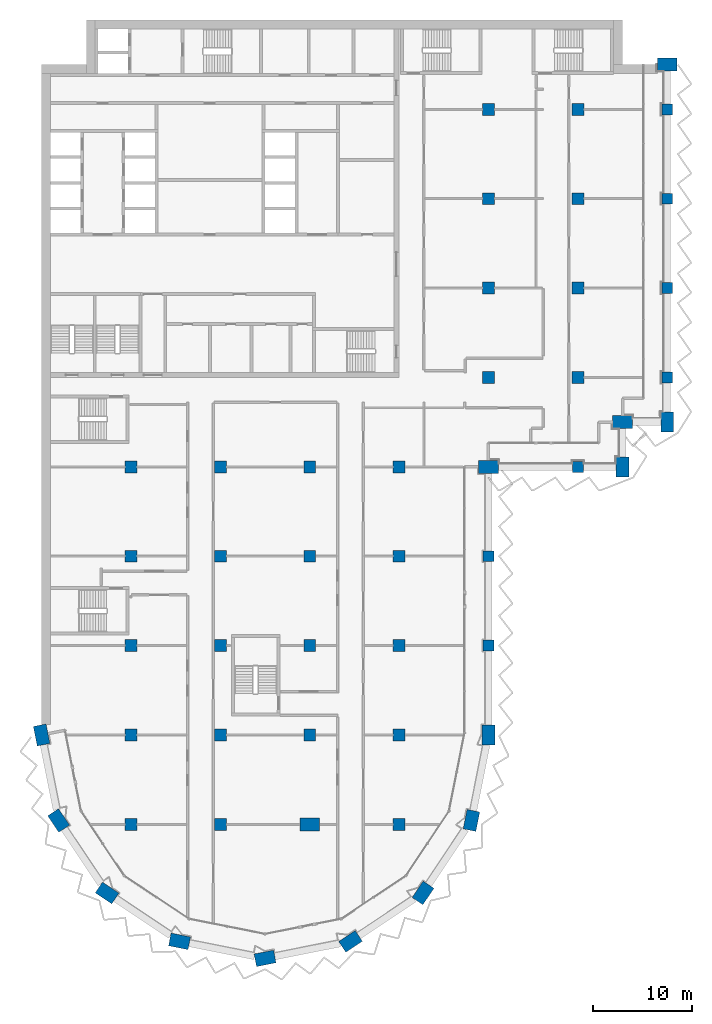
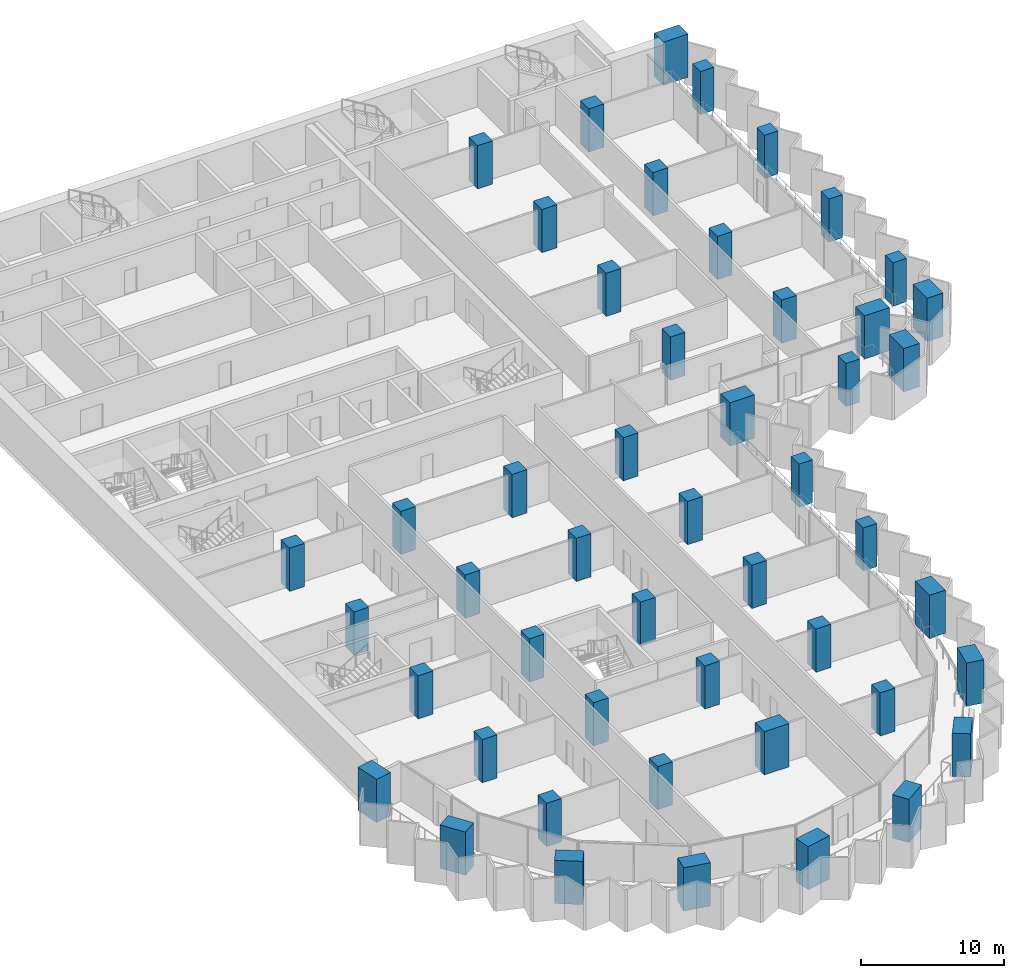
# One storey, part 1 of 22: 49 columns.
"""IFC4 building model written with IfcOpenShell, lengths in metres."""

from ifc_helpers import new_model, si_unit, direction, frame, origin, origin_2d, place, context, subcontext, project, spatial, rectangle, extrude, material, material_profile, profile_set, type_object, element, save


model = new_model("IFC4")

# Units and contexts
model_context = context("Model", 3, precision=1e-05, world=origin(), true_north=direction((0.0, 1.0)))
body_context = subcontext(model_context, "Body", "Model", "MODEL_VIEW")
ifc_project = project(units=[si_unit("LENGTHUNIT", "METRE"), si_unit("AREAUNIT", "SQUARE_METRE"), si_unit("VOLUMEUNIT", "CUBIC_METRE"), si_unit("PLANEANGLEUNIT", "RADIAN"), si_unit("MASSUNIT", "GRAM", prefix="KILO")], contexts=[model_context])

# Site, building, storey
site_placement = place(None, origin())
site = spatial("IfcSite", under=ifc_project, at=site_placement, CompositionType="ELEMENT")
building_placement = place(site_placement, origin())
building = spatial("IfcBuilding", under=site, at=building_placement, Name="Hunhe Ridgeline Campus", CompositionType="ELEMENT")
storey_placement = place(building_placement, frame((0.0, 0.0, 163.39990234375)))
storey = spatial("IfcBuildingStorey", under=building, at=storey_placement, Name="L41", CompositionType="ELEMENT", Elevation=163.39990234375)

# Columns
ifc_material = material(Name="Concrete C70", Category="concrete")
ifc_material_profile_1 = material_profile(ifc_material, rectangle(XDim=2.0, YDim=1.300048828125, at=origin_2d()))
ifc_profile_set_1 = profile_set([ifc_material_profile_1], Name="Concrete C70")
column_type_1 = type_object("IfcColumnType", Name="Megacolumn 2000x1300 Concrete C70", PredefinedType="COLUMN", material=ifc_profile_set_1)
for number, where, z_axis, x_axis, name in (
    (1, (22.5, 4.5, 0.0), (0.0, 0.0, 1.0), (0.980785280403, 0.195090322016, 0.0), "Column C9 R1 L41"),
    (2, (13.8896484375, 6.212646484375, 0.0), (0.0, 0.0, 1.0), (-0.980785280403, 0.195090322016, 0.0), "Column C9 R2 L41"),
    (3, (31.1103515625, 6.212646484375, 0.0), (0.0, 0.0, 1.0), (0.831469612303, 0.55557023302, 0.0), "Column C9 R3 L41"),
    (4, (6.590087890625, 11.090087890625, 0.0), (0.0, 0.0, 1.0), (-0.831469612303, 0.55557023302, 0.0), "Column C9 R4 L41"),
    (5, (38.409912109375, 11.090087890625, 0.0), (0.0, 0.0, 1.0), (0.55557023302, 0.831469612303, 0.0), "Column C9 R5 L41"),
    (6, (1.712646484375, 18.3896484375, 0.0), (0.0, 0.0, 1.0), (-0.55557023302, 0.831469612303, 0.0), "Column C9 R9 L41"),
    (7, (43.287353515625, 18.3896484375, 0.0), (0.0, 0.0, 1.0), (0.195090322016, 0.980785280403, 0.0), "Column C9 R10 L41"),
    (8, (0.0, 27.0, 0.0), (0.0, 0.0, 1.0), (-0.195090322016, 0.980785280403, 0.0), "Column C9 D1 L41"),
    (9, (45.0, 27.0, 0.0), (0.0, 0.0, 1.0), (0.0, 1.0, 0.0), "Column C9 D6 L41"),
    (10, (45.0, 54.0, 0.0), (0.0, 0.0, 1.0), (1.0, 0.0, 0.0), "Column C9 G6 L41"),
    (11, (58.5, 54.0, 0.0), (0.0, 0.0, 1.0), (0.0, 1.0, 0.0), "Column C9 R30 L41"),
    (12, (58.5, 58.5, 0.0), (0.0, 0.0, 1.0), (1.0, 0.0, 0.0), "Column C9 R35 L41"),
    (13, (63.0, 58.5, 0.0), (0.0, 0.0, 1.0), (0.0, 1.0, 0.0), "Column C9 R36 L41"),
    (14, (63.0, 94.5, 0.0), (0.0, 0.0, 1.0), (1.0, 0.0, 0.0), "Column C9 R42 L41"),
    (15, (27.0, 18.0, 0.0), (0.0, 0.0, 1.0), (1.0, 0.0, 0.0), "Column C9 C4 L41"),
):
    element("IfcColumn", number, at=place(storey_placement, frame(where, z_axis=z_axis, x_axis=x_axis)), inside=storey, type_object=column_type_1, Name=name, PredefinedType="COLUMN", context=body_context, shape_type="SweptSolid", body=[
        extrude(rectangle(XDim=2.0, YDim=1.300048828125, at=origin_2d()), origin(), (0.0, 0.0, 1.0), 3.7001953125),
    ])
ifc_material_profile_2 = material_profile(ifc_material, rectangle(XDim=1.10009765625, YDim=1.10009765625, at=origin_2d()))
ifc_profile_set_2 = profile_set([ifc_material_profile_2], Name="Concrete C70")
column_type_2 = type_object("IfcColumnType", Name="RC column 1100x1100 Concrete C70", PredefinedType="COLUMN", material=ifc_profile_set_2)
for number, where, z_axis, x_axis, name in (
    (16, (45.0, 36.0, 0.0), (0.0, 0.0, 1.0), (1.0, 0.0, 0.0), "Column C10 E6 L41"),
    (17, (45.0, 45.0, 0.0), (0.0, 0.0, 1.0), (1.0, 0.0, 0.0), "Column C10 F6 L41"),
    (18, (54.0, 54.0, 0.0), (0.0, 0.0, 1.0), (1.0, 0.0, 0.0), "Column C10 G7 L41"),
    (19, (63.0, 63.0, 0.0), (0.0, 0.0, 1.0), (1.0, 0.0, 0.0), "Column C10 H8 L41"),
    (20, (63.0, 72.0, 0.0), (0.0, 0.0, 1.0), (1.0, 0.0, 0.0), "Column C10 I8 L41"),
    (21, (63.0, 81.0, 0.0), (0.0, 0.0, 1.0), (1.0, 0.0, 0.0), "Column C10 J8 L41"),
    (22, (63.0, 90.0, 0.0), (0.0, 0.0, 1.0), (1.0, 0.0, 0.0), "Column C10 K8 L41"),
):
    element("IfcColumn", number, at=place(storey_placement, frame(where, z_axis=z_axis, x_axis=x_axis)), inside=storey, type_object=column_type_2, Name=name, PredefinedType="COLUMN", context=body_context, shape_type="SweptSolid", body=[
        extrude(rectangle(XDim=1.10009765625, YDim=1.10009765625, at=origin_2d()), origin(), (0.0, 0.0, 1.0), 3.7001953125),
    ])
ifc_material_profile_3 = material_profile(ifc_material, rectangle(XDim=1.199951171875, YDim=1.199951171875, at=origin_2d()))
ifc_profile_set_3 = profile_set([ifc_material_profile_3], Name="Concrete C70")
column_type_3 = type_object("IfcColumnType", Name="RC column 1200x1200 Concrete C70", PredefinedType="COLUMN", material=ifc_profile_set_3)
for number, where, z_axis, x_axis, name in (
    (23, (9.0, 18.0, 0.0), (0.0, 0.0, 1.0), (1.0, 0.0, 0.0), "Column C7 C2 L41"),
    (24, (9.0, 27.0, 0.0), (0.0, 0.0, 1.0), (1.0, 0.0, 0.0), "Column C7 D2 L41"),
    (25, (9.0, 36.0, 0.0), (0.0, 0.0, 1.0), (1.0, 0.0, 0.0), "Column C7 E2 L41"),
    (26, (9.0, 45.0, 0.0), (0.0, 0.0, 1.0), (1.0, 0.0, 0.0), "Column C7 F2 L41"),
    (27, (9.0, 54.0, 0.0), (0.0, 0.0, 1.0), (1.0, 0.0, 0.0), "Column C7 G2 L41"),
    (28, (18.0, 18.0, 0.0), (0.0, 0.0, 1.0), (1.0, 0.0, 0.0), "Column C7 C3 L41"),
    (29, (18.0, 27.0, 0.0), (0.0, 0.0, 1.0), (1.0, 0.0, 0.0), "Column C7 D3 L41"),
    (30, (18.0, 36.0, 0.0), (0.0, 0.0, 1.0), (1.0, 0.0, 0.0), "Column C7 E3 L41"),
    (31, (18.0, 45.0, 0.0), (0.0, 0.0, 1.0), (1.0, 0.0, 0.0), "Column C7 F3 L41"),
    (32, (18.0, 54.0, 0.0), (0.0, 0.0, 1.0), (1.0, 0.0, 0.0), "Column C7 G3 L41"),
    (33, (27.0, 27.0, 0.0), (0.0, 0.0, 1.0), (1.0, 0.0, 0.0), "Column C7 D4 L41"),
    (34, (27.0, 36.0, 0.0), (0.0, 0.0, 1.0), (1.0, 0.0, 0.0), "Column C7 E4 L41"),
    (35, (27.0, 45.0, 0.0), (0.0, 0.0, 1.0), (1.0, 0.0, 0.0), "Column C7 F4 L41"),
    (36, (27.0, 54.0, 0.0), (0.0, 0.0, 1.0), (1.0, 0.0, 0.0), "Column C7 G4 L41"),
    (37, (36.0, 18.0, 0.0), (0.0, 0.0, 1.0), (1.0, 0.0, 0.0), "Column C7 C5 L41"),
    (38, (36.0, 27.0, 0.0), (0.0, 0.0, 1.0), (1.0, 0.0, 0.0), "Column C7 D5 L41"),
    (39, (36.0, 36.0, 0.0), (0.0, 0.0, 1.0), (1.0, 0.0, 0.0), "Column C7 E5 L41"),
    (40, (36.0, 45.0, 0.0), (0.0, 0.0, 1.0), (1.0, 0.0, 0.0), "Column C7 F5 L41"),
    (41, (36.0, 54.0, 0.0), (0.0, 0.0, 1.0), (1.0, 0.0, 0.0), "Column C7 G5 L41"),
    (42, (45.0, 63.0, 0.0), (0.0, 0.0, 1.0), (1.0, 0.0, 0.0), "Column C7 H6 L41"),
    (43, (45.0, 72.0, 0.0), (0.0, 0.0, 1.0), (1.0, 0.0, 0.0), "Column C7 I6 L41"),
    (44, (45.0, 81.0, 0.0), (0.0, 0.0, 1.0), (1.0, 0.0, 0.0), "Column C7 J6 L41"),
    (45, (45.0, 90.0, 0.0), (0.0, 0.0, 1.0), (1.0, 0.0, 0.0), "Column C7 K6 L41"),
    (46, (54.0, 63.0, 0.0), (0.0, 0.0, 1.0), (1.0, 0.0, 0.0), "Column C7 H7 L41"),
    (47, (54.0, 72.0, 0.0), (0.0, 0.0, 1.0), (1.0, 0.0, 0.0), "Column C7 I7 L41"),
    (48, (54.0, 81.0, 0.0), (0.0, 0.0, 1.0), (1.0, 0.0, 0.0), "Column C7 J7 L41"),
    (49, (54.0, 90.0, 0.0), (0.0, 0.0, 1.0), (1.0, 0.0, 0.0), "Column C7 K7 L41"),
):
    element("IfcColumn", number, at=place(storey_placement, frame(where, z_axis=z_axis, x_axis=x_axis)), inside=storey, type_object=column_type_3, Name=name, PredefinedType="COLUMN", context=body_context, shape_type="SweptSolid", body=[
        extrude(rectangle(XDim=1.199951171875, YDim=1.199951171875, at=origin_2d()), origin(), (0.0, 0.0, 1.0), 3.7001953125),
    ])

save(model, "model.ifc")
